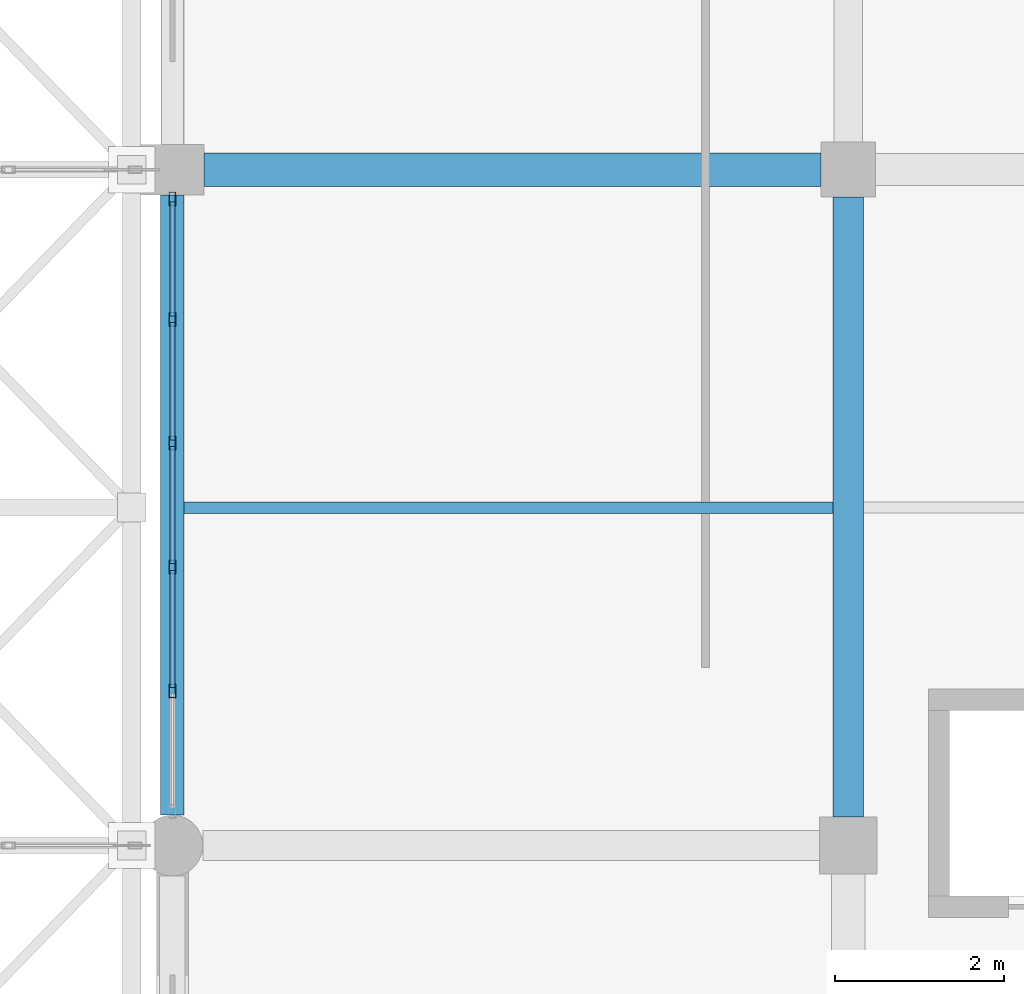
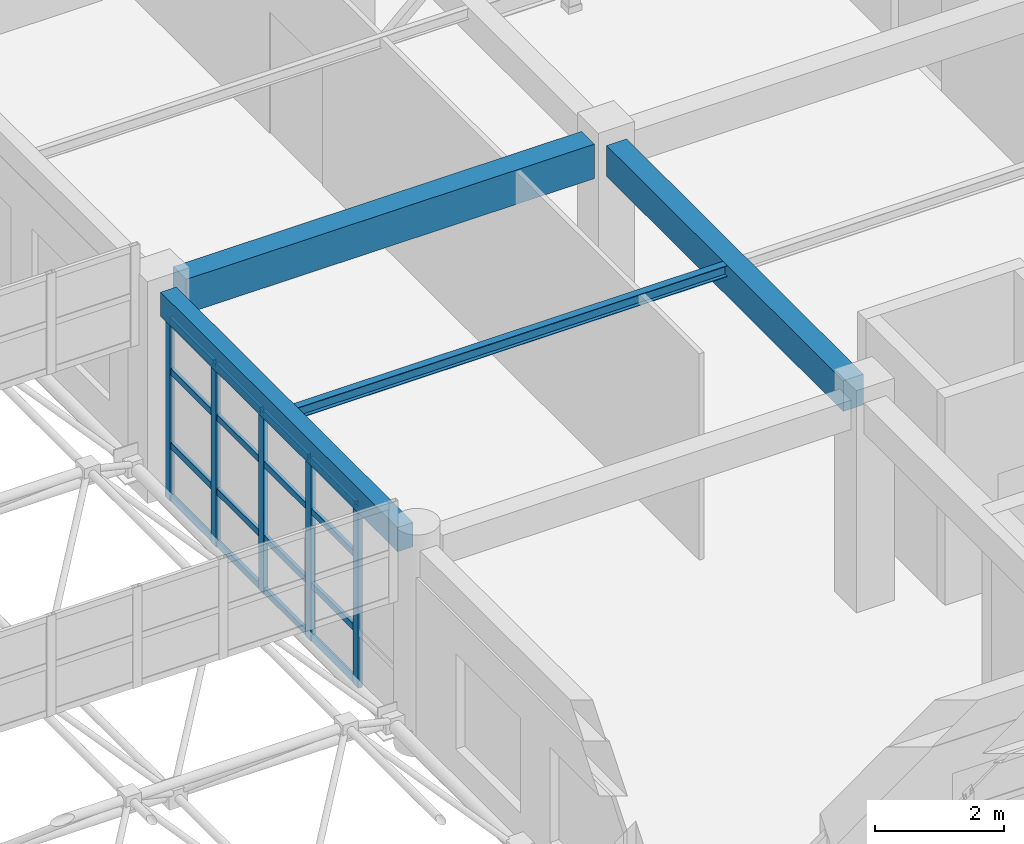
# One storey, part 67 of 195: 21 members, 4 beams, 1 element without a shape of its own.
"""IFC4 building model written with IfcOpenShell, lengths in metres."""

from ifc_helpers import new_model, si_unit, direction, frame, origin, origin_2d, place, context, subcontext, project, spatial, rectangle, hollow_rectangle, i_section, extrude, material, material_profile, profile_set, type_object, element, aggregate, save


model = new_model("IFC4")

# Units and contexts
model_context = context("Model", 3, precision=1e-05, world=origin(), true_north=direction((0.0, 1.0)))
body_context = subcontext(model_context, "Body", "Model", "MODEL_VIEW")
ifc_project = project(units=[si_unit("LENGTHUNIT", "METRE"), si_unit("AREAUNIT", "SQUARE_METRE"), si_unit("VOLUMEUNIT", "CUBIC_METRE"), si_unit("PLANEANGLEUNIT", "RADIAN"), si_unit("MASSUNIT", "GRAM", prefix="KILO")], contexts=[model_context])

# Site, building, storey
site_placement = place(None, origin())
site = spatial("IfcSite", under=ifc_project, at=site_placement, CompositionType="ELEMENT")
building_placement = place(site_placement, origin())
building = spatial("IfcBuilding", under=site, at=building_placement, Name="Kharva Crest Polytechnic", CompositionType="ELEMENT")
storey_placement = place(building_placement, frame((0.0, 0.0, 9.0)))
storey = spatial("IfcBuildingStorey", under=building, at=storey_placement, Name="L02", CompositionType="ELEMENT", Elevation=9.0)

# Beams
ifc_material_1 = material(Name="Concrete C35/45", Category="concrete")
ifc_material_profile_1 = material_profile(ifc_material_1, rectangle(XDim=0.360107421875, YDim=0.580078125, at=origin_2d()), Name="RECT 360 X 580")
ifc_profile_set_1 = profile_set([ifc_material_profile_1], Name="Concrete C35/45")
beam_type_1 = type_object("IfcBeamType", Name="BM-RC-360X580", PredefinedType="BEAM", material=ifc_profile_set_1)
beam_1_placement = place(storey_placement, frame((40.0, 47.139892578125, 3.6298828125), z_axis=(0.0, 1.0, 0.0), x_axis=(-1.0, 0.0, 0.0)))
element("IfcBeam", 1, at=beam_1_placement, inside=storey, type_object=beam_type_1, Name="L02 Girder 6/G-H", PredefinedType="BEAM", context=body_context, shape_type="SweptSolid", body=[
    extrude(rectangle(XDim=0.360107421875, YDim=0.580078125, at=origin_2d()), origin(), (0.0, 0.0, 1.0), 7.335205078125),
])
ifc_material_profile_2 = material_profile(ifc_material_1, rectangle(XDim=0.39990234375, YDim=0.64990234375, at=origin_2d()), Name="RECT 400 X 650")
ifc_profile_set_2 = profile_set([ifc_material_profile_2], Name="Concrete C35/45")
beam_type_2 = type_object("IfcBeamType", Name="BM-RC-400X650", PredefinedType="BEAM", material=ifc_profile_set_2)
beam_2_placement = place(storey_placement, frame((32.375, 54.800048828125, 3.594970703125), z_axis=(1.0, 0.0, 0.0), x_axis=(0.0, 1.0, 0.0)))
element("IfcBeam", 2, at=beam_2_placement, inside=storey, type_object=beam_type_2, Name="L02 Beam H/5-6", PredefinedType="BEAM", context=body_context, shape_type="SweptSolid", body=[
    extrude(rectangle(XDim=0.39990234375, YDim=0.64990234375, at=origin_2d()), origin(), (0.0, 0.0, 1.0), 7.300048828125),
])
ifc_material_2 = material(Name="Steel S355", Category="steel")
ifc_material_profile_3 = material_profile(ifc_material_2, i_section(OverallWidth=0.134033203125, OverallDepth=0.2099609375, WebThickness=0.00634765625, FlangeThickness=0.01025390625, at=origin_2d()), Name="W200X31.3")
ifc_profile_set_3 = profile_set([ifc_material_profile_3], Name="Steel S355")
beam_type_3 = type_object("IfcBeamType", Name="BM-STL-W200X31", PredefinedType="JOIST", material=ifc_profile_set_3)
beam_3_placement = place(storey_placement, frame((32.139892578125, 50.800048828125, 3.81494140625), z_axis=(1.0, 0.0, 0.0), x_axis=(0.0, 1.0, 0.0)))
element("IfcBeam", 3, at=beam_3_placement, inside=storey, type_object=beam_type_3, Name="L02 Floor Joist 1", PredefinedType="JOIST", context=body_context, shape_type="SweptSolid", body=[
    extrude(i_section(OverallWidth=0.134033203125, OverallDepth=0.2099609375, WebThickness=0.00634765625, FlangeThickness=0.01025390625, at=origin_2d()), origin(), (0.0, 0.0, 1.0), 7.68017578125),
])

# Curtain wall, members
ifc_material_3 = material(Name="Tempered insulated glass", Category="glass")
curtain_wall_type = type_object("IfcCurtainWallType", Name="CW-SYS-COURT", PredefinedType="USERDEFINED", material=ifc_material_3)
curtain_wall_placement = place(storey_placement, origin())
curtain_wall = element("IfcCurtainWall", 4, at=curtain_wall_placement, inside=storey, type_object=curtain_wall_type, Name="L02 Glazed Curtain Wall CW-100", ObjectType="CURTAIN WALL", PredefinedType="USERDEFINED")
ifc_material_profile_4 = material_profile(ifc_material_2, hollow_rectangle(XDim=0.080078125, YDim=0.159912109375, WallThickness=0.0048828125, at=origin_2d()), Name="RHS 160X80X5.0")
ifc_profile_set_4 = profile_set([ifc_material_profile_4], Name="Steel S355")
member_type_1 = type_object("IfcMemberType", Name="CWM-RHS160X80", PredefinedType="MULLION", material=ifc_profile_set_4)
member_1_placement = place(storey_placement, frame((32.0, 54.455078125, 0.0), z_axis=(0.0, 0.0, 1.0), x_axis=(1.0, 0.0, 0.0)))
member_1 = element("IfcMember", 5, at=member_1_placement, type_object=member_type_1, Name="CW-100 mullion 1", PredefinedType="MULLION", context=body_context, shape_type="SweptSolid", body=[
    extrude(hollow_rectangle(XDim=0.080078125, YDim=0.159912109375, WallThickness=0.0048828125, at=origin_2d()), origin(), (0.0, 0.0, 1.0), 3.4599609375),
])
member_2_placement = place(storey_placement, frame((32.0, 53.029052734375, 0.0), z_axis=(0.0, 0.0, 1.0), x_axis=(1.0, 0.0, 0.0)))
member_2 = element("IfcMember", 6, at=member_2_placement, type_object=member_type_1, Name="CW-100 mullion 2", PredefinedType="MULLION", context=body_context, shape_type="SweptSolid", body=[
    extrude(hollow_rectangle(XDim=0.080078125, YDim=0.159912109375, WallThickness=0.0048828125, at=origin_2d()), origin(), (0.0, 0.0, 1.0), 3.4599609375),
])
member_3_placement = place(storey_placement, frame((32.0, 51.56298828125, 0.0), z_axis=(0.0, 0.0, 1.0), x_axis=(1.0, 0.0, 0.0)))
member_3 = element("IfcMember", 7, at=member_3_placement, type_object=member_type_1, Name="CW-100 mullion 3", PredefinedType="MULLION", context=body_context, shape_type="SweptSolid", body=[
    extrude(hollow_rectangle(XDim=0.080078125, YDim=0.159912109375, WallThickness=0.0048828125, at=origin_2d()), origin(), (0.0, 0.0, 1.0), 3.4599609375),
])
member_4_placement = place(storey_placement, frame((32.0, 50.096923828125, 0.0), z_axis=(0.0, 0.0, 1.0), x_axis=(1.0, 0.0, 0.0)))
member_4 = element("IfcMember", 8, at=member_4_placement, type_object=member_type_1, Name="CW-100 mullion 4", PredefinedType="MULLION", context=body_context, shape_type="SweptSolid", body=[
    extrude(hollow_rectangle(XDim=0.080078125, YDim=0.159912109375, WallThickness=0.0048828125, at=origin_2d()), origin(), (0.0, 0.0, 1.0), 3.4599609375),
])
member_5_placement = place(storey_placement, frame((32.0, 48.631103515625, 0.0), z_axis=(0.0, 0.0, 1.0), x_axis=(1.0, 0.0, 0.0)))
member_5 = element("IfcMember", 9, at=member_5_placement, type_object=member_type_1, Name="CW-100 mullion 5", PredefinedType="MULLION", context=body_context, shape_type="SweptSolid", body=[
    extrude(hollow_rectangle(XDim=0.080078125, YDim=0.159912109375, WallThickness=0.0048828125, at=origin_2d()), origin(), (0.0, 0.0, 1.0), 3.4599609375),
])
ifc_material_profile_5 = material_profile(ifc_material_2, hollow_rectangle(XDim=0.06005859375, YDim=0.1201171875, WallThickness=0.00390625, at=origin_2d()), Name="RHS 120X60X4.0")
ifc_profile_set_5 = profile_set([ifc_material_profile_5], Name="Steel S355")
member_type_2 = type_object("IfcMemberType", Name="CWT-RHS120X60", PredefinedType="USERDEFINED", material=ifc_profile_set_5)
member_6_placement = place(storey_placement, frame((32.0, 54.4150390625, 0.06005859375), z_axis=(0.0, -1.0, 0.0), x_axis=(1.0, 0.0, 0.0)))
member_6 = element("IfcMember", 10, at=member_6_placement, type_object=member_type_2, Name="CW-100 transom 1.1", ObjectType="TRANSOM", PredefinedType="USERDEFINED", context=body_context, shape_type="SweptSolid", body=[
    extrude(hollow_rectangle(XDim=0.06005859375, YDim=0.1201171875, WallThickness=0.00390625, at=origin_2d()), origin(), (0.0, 0.0, 1.0), 1.345947265625),
])
member_7_placement = place(storey_placement, frame((32.0, 54.4150390625, 1.050048828125), z_axis=(0.0, -1.0, 0.0), x_axis=(1.0, 0.0, 0.0)))
member_7 = element("IfcMember", 11, at=member_7_placement, type_object=member_type_2, Name="CW-100 transom 1.2", ObjectType="TRANSOM", PredefinedType="USERDEFINED", context=body_context, shape_type="SweptSolid", body=[
    extrude(hollow_rectangle(XDim=0.06005859375, YDim=0.1201171875, WallThickness=0.00390625, at=origin_2d()), origin(), (0.0, 0.0, 1.0), 1.345947265625),
])
member_8_placement = place(storey_placement, frame((32.0, 54.4150390625, 2.449951171875), z_axis=(0.0, -1.0, 0.0), x_axis=(1.0, 0.0, 0.0)))
member_8 = element("IfcMember", 12, at=member_8_placement, type_object=member_type_2, Name="CW-100 transom 1.3", ObjectType="TRANSOM", PredefinedType="USERDEFINED", context=body_context, shape_type="SweptSolid", body=[
    extrude(hollow_rectangle(XDim=0.06005859375, YDim=0.1201171875, WallThickness=0.00390625, at=origin_2d()), origin(), (0.0, 0.0, 1.0), 1.345947265625),
])
member_9_placement = place(storey_placement, frame((32.0, 54.4150390625, 3.39990234375), z_axis=(0.0, -1.0, 0.0), x_axis=(1.0, 0.0, 0.0)))
member_9 = element("IfcMember", 13, at=member_9_placement, type_object=member_type_2, Name="CW-100 transom 1.4", ObjectType="TRANSOM", PredefinedType="USERDEFINED", context=body_context, shape_type="SweptSolid", body=[
    extrude(hollow_rectangle(XDim=0.06005859375, YDim=0.1201171875, WallThickness=0.00390625, at=origin_2d()), origin(), (0.0, 0.0, 1.0), 1.345947265625),
])
member_10_placement = place(storey_placement, frame((32.0, 52.989013671875, 0.06005859375), z_axis=(0.0, -1.0, 0.0), x_axis=(1.0, 0.0, 0.0)))
member_10 = element("IfcMember", 14, at=member_10_placement, type_object=member_type_2, Name="CW-100 transom 2.1", ObjectType="TRANSOM", PredefinedType="USERDEFINED", context=body_context, shape_type="SweptSolid", body=[
    extrude(hollow_rectangle(XDim=0.06005859375, YDim=0.1201171875, WallThickness=0.00390625, at=origin_2d()), origin(), (0.0, 0.0, 1.0), 1.385986328125),
])
member_11_placement = place(storey_placement, frame((32.0, 52.989013671875, 1.050048828125), z_axis=(0.0, -1.0, 0.0), x_axis=(1.0, 0.0, 0.0)))
member_11 = element("IfcMember", 15, at=member_11_placement, type_object=member_type_2, Name="CW-100 transom 2.2", ObjectType="TRANSOM", PredefinedType="USERDEFINED", context=body_context, shape_type="SweptSolid", body=[
    extrude(hollow_rectangle(XDim=0.06005859375, YDim=0.1201171875, WallThickness=0.00390625, at=origin_2d()), origin(), (0.0, 0.0, 1.0), 1.385986328125),
])
member_12_placement = place(storey_placement, frame((32.0, 52.989013671875, 2.449951171875), z_axis=(0.0, -1.0, 0.0), x_axis=(1.0, 0.0, 0.0)))
member_12 = element("IfcMember", 16, at=member_12_placement, type_object=member_type_2, Name="CW-100 transom 2.3", ObjectType="TRANSOM", PredefinedType="USERDEFINED", context=body_context, shape_type="SweptSolid", body=[
    extrude(hollow_rectangle(XDim=0.06005859375, YDim=0.1201171875, WallThickness=0.00390625, at=origin_2d()), origin(), (0.0, 0.0, 1.0), 1.385986328125),
])
member_13_placement = place(storey_placement, frame((32.0, 52.989013671875, 3.39990234375), z_axis=(0.0, -1.0, 0.0), x_axis=(1.0, 0.0, 0.0)))
member_13 = element("IfcMember", 17, at=member_13_placement, type_object=member_type_2, Name="CW-100 transom 2.4", ObjectType="TRANSOM", PredefinedType="USERDEFINED", context=body_context, shape_type="SweptSolid", body=[
    extrude(hollow_rectangle(XDim=0.06005859375, YDim=0.1201171875, WallThickness=0.00390625, at=origin_2d()), origin(), (0.0, 0.0, 1.0), 1.385986328125),
])
member_14_placement = place(storey_placement, frame((32.0, 51.52294921875, 0.06005859375), z_axis=(0.0, -1.0, 0.0), x_axis=(1.0, 0.0, 0.0)))
member_14 = element("IfcMember", 18, at=member_14_placement, type_object=member_type_2, Name="CW-100 transom 3.1", ObjectType="TRANSOM", PredefinedType="USERDEFINED", context=body_context, shape_type="SweptSolid", body=[
    extrude(hollow_rectangle(XDim=0.06005859375, YDim=0.1201171875, WallThickness=0.00390625, at=origin_2d()), origin(), (0.0, 0.0, 1.0), 1.385986328125),
])
member_15_placement = place(storey_placement, frame((32.0, 51.52294921875, 1.050048828125), z_axis=(0.0, -1.0, 0.0), x_axis=(1.0, 0.0, 0.0)))
member_15 = element("IfcMember", 19, at=member_15_placement, type_object=member_type_2, Name="CW-100 transom 3.2", ObjectType="TRANSOM", PredefinedType="USERDEFINED", context=body_context, shape_type="SweptSolid", body=[
    extrude(hollow_rectangle(XDim=0.06005859375, YDim=0.1201171875, WallThickness=0.00390625, at=origin_2d()), origin(), (0.0, 0.0, 1.0), 1.385986328125),
])
member_16_placement = place(storey_placement, frame((32.0, 51.52294921875, 2.449951171875), z_axis=(0.0, -1.0, 0.0), x_axis=(1.0, 0.0, 0.0)))
member_16 = element("IfcMember", 20, at=member_16_placement, type_object=member_type_2, Name="CW-100 transom 3.3", ObjectType="TRANSOM", PredefinedType="USERDEFINED", context=body_context, shape_type="SweptSolid", body=[
    extrude(hollow_rectangle(XDim=0.06005859375, YDim=0.1201171875, WallThickness=0.00390625, at=origin_2d()), origin(), (0.0, 0.0, 1.0), 1.385986328125),
])
member_17_placement = place(storey_placement, frame((32.0, 51.52294921875, 3.39990234375), z_axis=(0.0, -1.0, 0.0), x_axis=(1.0, 0.0, 0.0)))
member_17 = element("IfcMember", 21, at=member_17_placement, type_object=member_type_2, Name="CW-100 transom 3.4", ObjectType="TRANSOM", PredefinedType="USERDEFINED", context=body_context, shape_type="SweptSolid", body=[
    extrude(hollow_rectangle(XDim=0.06005859375, YDim=0.1201171875, WallThickness=0.00390625, at=origin_2d()), origin(), (0.0, 0.0, 1.0), 1.385986328125),
])
member_18_placement = place(storey_placement, frame((32.0, 50.056884765625, 0.06005859375), z_axis=(0.0, -1.0, 0.0), x_axis=(1.0, 0.0, 0.0)))
member_18 = element("IfcMember", 22, at=member_18_placement, type_object=member_type_2, Name="CW-100 transom 4.1", ObjectType="TRANSOM", PredefinedType="USERDEFINED", context=body_context, shape_type="SweptSolid", body=[
    extrude(hollow_rectangle(XDim=0.06005859375, YDim=0.1201171875, WallThickness=0.00390625, at=origin_2d()), origin(), (0.0, 0.0, 1.0), 1.385986328125),
])
member_19_placement = place(storey_placement, frame((32.0, 50.056884765625, 1.050048828125), z_axis=(0.0, -1.0, 0.0), x_axis=(1.0, 0.0, 0.0)))
member_19 = element("IfcMember", 23, at=member_19_placement, type_object=member_type_2, Name="CW-100 transom 4.2", ObjectType="TRANSOM", PredefinedType="USERDEFINED", context=body_context, shape_type="SweptSolid", body=[
    extrude(hollow_rectangle(XDim=0.06005859375, YDim=0.1201171875, WallThickness=0.00390625, at=origin_2d()), origin(), (0.0, 0.0, 1.0), 1.385986328125),
])
member_20_placement = place(storey_placement, frame((32.0, 50.056884765625, 2.449951171875), z_axis=(0.0, -1.0, 0.0), x_axis=(1.0, 0.0, 0.0)))
member_20 = element("IfcMember", 24, at=member_20_placement, type_object=member_type_2, Name="CW-100 transom 4.3", ObjectType="TRANSOM", PredefinedType="USERDEFINED", context=body_context, shape_type="SweptSolid", body=[
    extrude(hollow_rectangle(XDim=0.06005859375, YDim=0.1201171875, WallThickness=0.00390625, at=origin_2d()), origin(), (0.0, 0.0, 1.0), 1.385986328125),
])
member_21_placement = place(storey_placement, frame((32.0, 50.056884765625, 3.39990234375), z_axis=(0.0, -1.0, 0.0), x_axis=(1.0, 0.0, 0.0)))
member_21 = element("IfcMember", 25, at=member_21_placement, type_object=member_type_2, Name="CW-100 transom 4.4", ObjectType="TRANSOM", PredefinedType="USERDEFINED", context=body_context, shape_type="SweptSolid", body=[
    extrude(hollow_rectangle(XDim=0.06005859375, YDim=0.1201171875, WallThickness=0.00390625, at=origin_2d()), origin(), (0.0, 0.0, 1.0), 1.385986328125),
])
aggregate(curtain_wall, [member_1, member_2, member_3, member_4, member_5, member_6, member_7, member_8, member_9, member_10, member_11, member_12, member_13, member_14, member_15, member_16, member_17, member_18, member_19, member_20, member_21])

# Beam
ifc_material_profile_6 = material_profile(ifc_material_1, rectangle(XDim=0.280029296875, YDim=0.4599609375, at=origin_2d()), Name="RECT 280 X 460")
ifc_profile_set_6 = profile_set([ifc_material_profile_6], Name="Concrete C35/45")
beam_type_4 = type_object("IfcBeamType", Name="SP-RC-280X460", PredefinedType="SPANDREL", material=ifc_profile_set_6)
beam_4_placement = place(storey_placement, frame((32.0, 47.159912109375, 3.68994140625), z_axis=(0.0, 1.0, 0.0), x_axis=(-1.0, 0.0, 0.0)))
element("IfcBeam", 26, at=beam_4_placement, inside=storey, type_object=beam_type_4, Name="L02 Girder 5/G-H", PredefinedType="SPANDREL", context=body_context, shape_type="SweptSolid", body=[
    extrude(rectangle(XDim=0.280029296875, YDim=0.4599609375, at=origin_2d()), origin(), (0.0, 0.0, 1.0), 7.340087890625),
])

save(model, "model.ifc")
